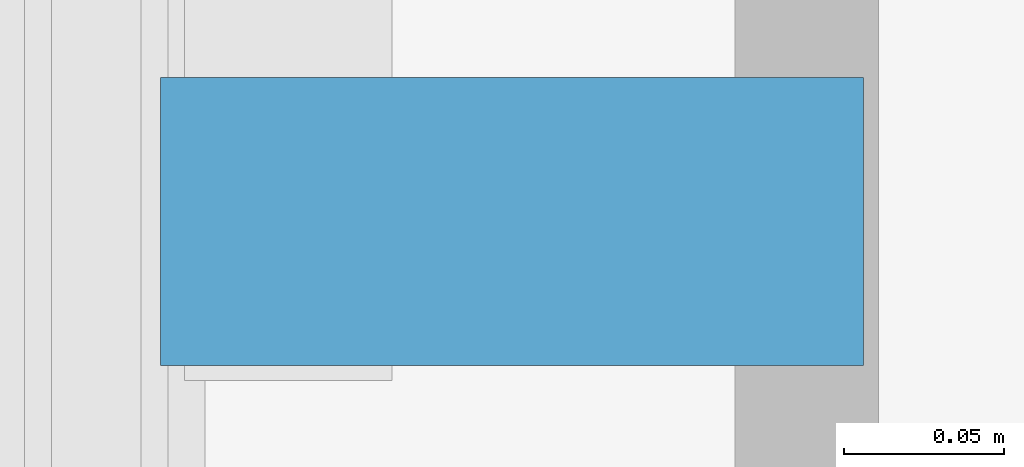
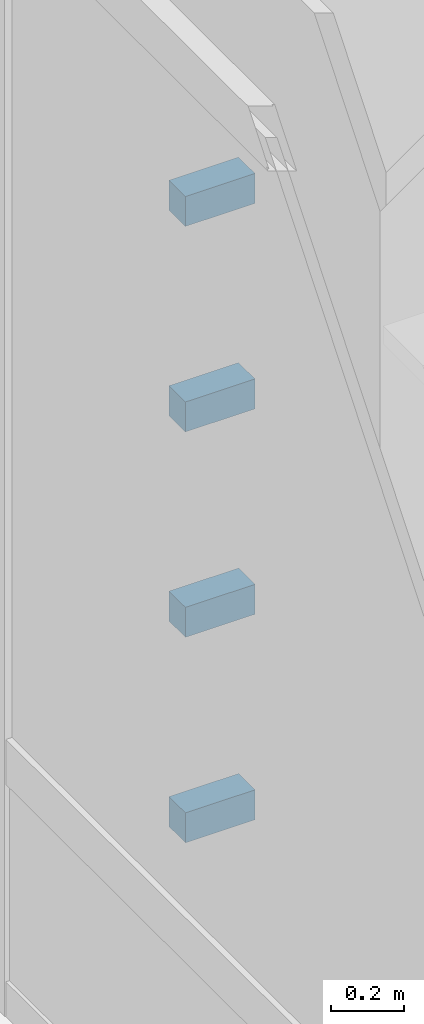
# One storey, part 30 of 35: 4 discrete accessories.
"""IFC4 building model written with IfcOpenShell, lengths in metres."""

from ifc_helpers import new_model, si_unit, direction, frame, origin, origin_2d, place, context, subcontext, project, spatial, rectangle, extrude, material, type_object, element, save


model = new_model("IFC4")

# Units and contexts
model_context = context("Model", 3, precision=1e-05, world=origin(), true_north=direction((0.0, 1.0)))
body_context = subcontext(model_context, "Body", "Model", "MODEL_VIEW")
ifc_project = project(units=[si_unit("LENGTHUNIT", "METRE"), si_unit("AREAUNIT", "SQUARE_METRE"), si_unit("VOLUMEUNIT", "CUBIC_METRE"), si_unit("PLANEANGLEUNIT", "RADIAN"), si_unit("MASSUNIT", "GRAM", prefix="KILO")], contexts=[model_context])

# Site, building, storey
site_placement = place(None, origin())
site = spatial("IfcSite", under=ifc_project, at=site_placement, CompositionType="ELEMENT")
building_placement = place(site_placement, origin())
building = spatial("IfcBuilding", under=site, at=building_placement, Name="Punatoya Terracotta Tower", CompositionType="ELEMENT")
storey_placement = place(building_placement, frame((0.0, 0.0, 64.64990234375)))
storey = spatial("IfcBuildingStorey", under=building, at=storey_placement, Name="L14", CompositionType="ELEMENT", Elevation=64.64990234375)

# Discrete accessories
ifc_material = material(Name="Steel S355", Category="steel")
discrete_accessory_type = type_object("IfcDiscreteAccessoryType", Name="ACC-BRK-220", PredefinedType="BRACKET", material=ifc_material)
for number, where, z_axis, x_axis, name in (
    (1, (-19.919921875, -3.35009765625, 1.10009765625), (0.0, 0.0, 1.0), (0.0, 1.0, 0.0), "L14 Baguette Louvre Column Bracket BAG-L14-W-01"),
    (2, (-19.919921875, -3.35009765625, 1.786865234375), (0.0, 0.0, 1.0), (0.0, 1.0, 0.0), "L14 Baguette Louvre Column Bracket BAG-L14-W-02"),
    (3, (-19.919921875, -3.35009765625, 2.473388671875), (0.0, 0.0, 1.0), (0.0, 1.0, 0.0), "L14 Baguette Louvre Column Bracket BAG-L14-W-03"),
    (4, (-19.919921875, -3.35009765625, 3.16015625), (0.0, 0.0, 1.0), (0.0, 1.0, 0.0), "L14 Baguette Louvre Column Bracket BAG-L14-W-04"),
):
    element("IfcDiscreteAccessory", number, at=place(storey_placement, frame(where, z_axis=z_axis, x_axis=x_axis)), inside=storey, type_object=discrete_accessory_type, Name=name, PredefinedType="BRACKET", context=body_context, shape_type="SweptSolid", body=[
        extrude(rectangle(XDim=0.090087890625, YDim=0.219970703125, at=origin_2d()), origin(), (0.0, 0.0, 1.0), 0.10009765625),
    ])

save(model, "model.ifc")
